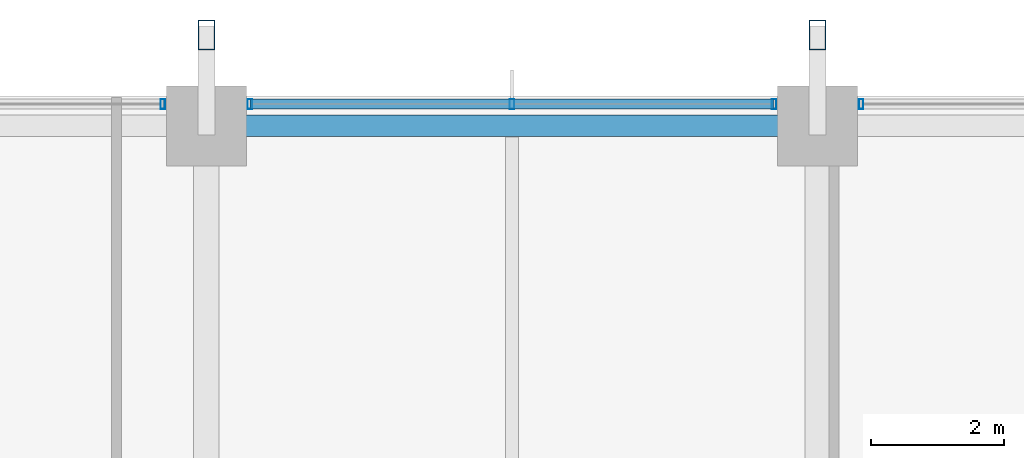
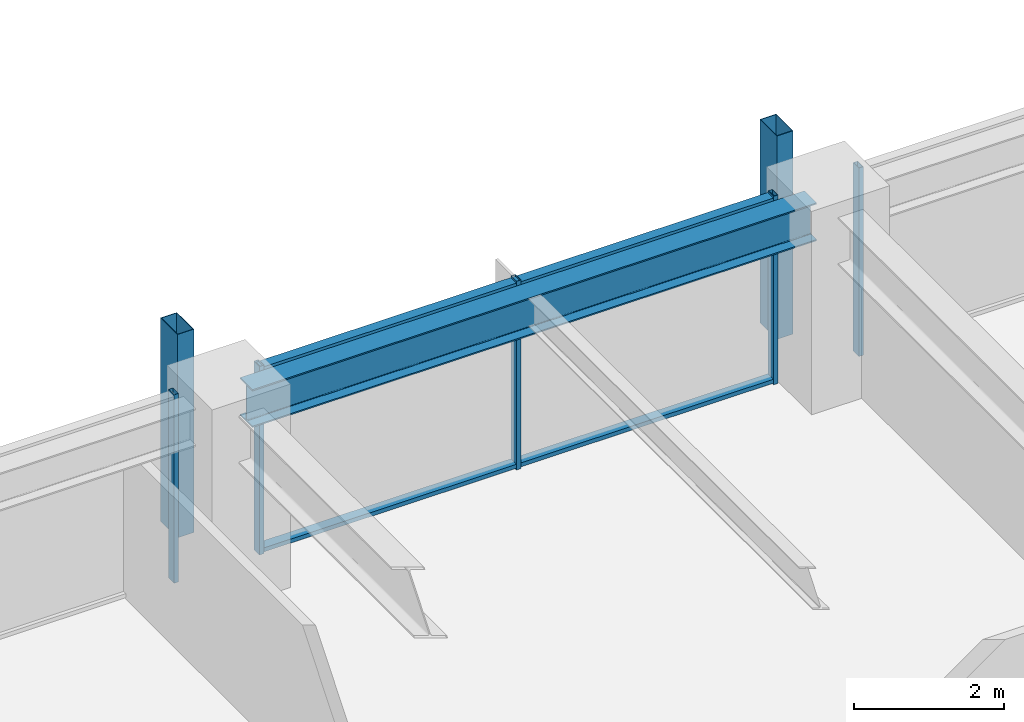
# One storey, part 23 of 38: 9 members, 1 beam, 3 elements without a shape of their own.
"""IFC4 building model written with IfcOpenShell, lengths in metres."""

from ifc_helpers import new_model, si_unit, direction, frame, origin, origin_2d, place, context, subcontext, project, spatial, hollow_rectangle, i_section, extrude, material, material_profile, profile_set, type_object, element, aggregate, save


model = new_model("IFC4")

# Units and contexts
model_context = context("Model", 3, precision=1e-05, world=origin(), true_north=direction((0.0, 1.0)))
body_context = subcontext(model_context, "Body", "Model", "MODEL_VIEW")
ifc_project = project(units=[si_unit("LENGTHUNIT", "METRE"), si_unit("AREAUNIT", "SQUARE_METRE"), si_unit("VOLUMEUNIT", "CUBIC_METRE"), si_unit("PLANEANGLEUNIT", "RADIAN"), si_unit("MASSUNIT", "GRAM", prefix="KILO")], contexts=[model_context])

# Site, building, storey
site_placement = place(None, origin())
site = spatial("IfcSite", under=ifc_project, at=site_placement, CompositionType="ELEMENT")
building_placement = place(site_placement, origin())
building = spatial("IfcBuilding", under=site, at=building_placement, Name="Kolvaren Belvedere", CompositionType="ELEMENT")
storey_placement = place(building_placement, frame((0.0, 0.0, 53.5)))
storey = spatial("IfcBuildingStorey", under=building, at=storey_placement, Name="L15", CompositionType="ELEMENT", Elevation=53.5)

# Beam
ifc_material_1 = material(Name="Structural steel ASTM A992 Grade 50", Category="steel")
ifc_material_profile_1 = material_profile(ifc_material_1, i_section(OverallWidth=0.324951171875, OverallDepth=0.615966796875, WebThickness=0.013916015625, FlangeThickness=0.021484375, FilletRadius=0.02001953125, at=origin_2d()), Name="W24X117")
ifc_profile_set_1 = profile_set([ifc_material_profile_1], Name="Structural steel ASTM A992 Grade 50")
beam_type = type_object("IfcBeamType", Name="BM-SPAN-W24X117", PredefinedType="SPANDREL", material=ifc_profile_set_1)
beam_placement = place(storey_placement, frame((4.330078125, 21.550048828125, 2.751953125), z_axis=(-1.0, 0.0, 0.0), x_axis=(0.0, -1.0, 0.0)))
element("IfcBeam", 1, at=beam_placement, inside=storey, type_object=beam_type, Name="L15 Perimeter Spandrel N3-N2", PredefinedType="SPANDREL", context=body_context, shape_type="SweptSolid", body=[
    extrude(i_section(OverallWidth=0.324951171875, OverallDepth=0.615966796875, WebThickness=0.013916015625, FlangeThickness=0.021484375, FilletRadius=0.02001953125, at=origin_2d()), origin(), (0.0, 0.0, 1.0), 8.66015625),
])

# Curtain wall, member
ifc_material_2 = material(Name="Anodised pale-metal aluminium AA 6063-T6", Category="aluminium")
curtain_wall_type = type_object("IfcCurtainWallType", Name="CW-Z1-LOW", PredefinedType="NOTDEFINED", material=ifc_material_2)
curtain_wall_1_placement = place(storey_placement, origin())
curtain_wall_1 = element("IfcCurtainWall", 2, at=curtain_wall_1_placement, inside=storey, type_object=curtain_wall_type, Name="L15 Unitised Curtain Wall FCW-L15-N-B1", PredefinedType="NOTDEFINED")
ifc_material_3 = material(Name="Anodised pale-metal aluminium AA 6063-T6", Category="aluminium")
ifc_material_profile_2 = material_profile(ifc_material_3, hollow_rectangle(XDim=0.070068359375, YDim=0.14990234375, WallThickness=0.004150390625, at=origin_2d()), Name="ALU-MUL-150X70")
ifc_profile_set_2 = profile_set([ifc_material_profile_2], Name="Anodised pale-metal aluminium AA 6063-T6")
member_type_1 = type_object("IfcMemberType", Name="CW-MUL-150", PredefinedType="MULLION", material=ifc_profile_set_2)
member_1_placement = place(storey_placement, frame((-5.2548828125, 21.8798828125, 0.0), z_axis=(0.0, 0.0, 1.0), x_axis=(1.0, 0.0, 0.0)))
member_1 = element("IfcMember", 3, at=member_1_placement, type_object=member_type_1, Name="FCW-L15-N-B1 Unitised Mullion 3", PredefinedType="MULLION", context=body_context, shape_type="SweptSolid", body=[
    extrude(hollow_rectangle(XDim=0.070068359375, YDim=0.14990234375, WallThickness=0.004150390625, at=origin_2d()), origin(), (0.0, 0.0, 1.0), 3.06005859375),
])
aggregate(curtain_wall_1, [member_1])

# Curtain wall, members
curtain_wall_2_placement = place(storey_placement, origin())
curtain_wall_2 = element("IfcCurtainWall", 4, at=curtain_wall_2_placement, inside=storey, type_object=curtain_wall_type, Name="L15 Unitised Curtain Wall FCW-L15-N-B2", PredefinedType="NOTDEFINED")
member_2_placement = place(storey_placement, frame((-3.945068359375, 21.8798828125, 0.0), z_axis=(0.0, 0.0, 1.0), x_axis=(1.0, 0.0, 0.0)))
member_2 = element("IfcMember", 5, at=member_2_placement, type_object=member_type_1, Name="FCW-L15-N-B2 Unitised Mullion 1", PredefinedType="MULLION", context=body_context, shape_type="SweptSolid", body=[
    extrude(hollow_rectangle(XDim=0.070068359375, YDim=0.14990234375, WallThickness=0.004150390625, at=origin_2d()), origin(), (0.0, 0.0, 1.0), 3.06005859375),
])
member_3_placement = place(storey_placement, frame((0.0, 21.8798828125, 0.0), z_axis=(0.0, 0.0, 1.0), x_axis=(1.0, 0.0, 0.0)))
member_3 = element("IfcMember", 6, at=member_3_placement, type_object=member_type_1, Name="FCW-L15-N-B2 Unitised Mullion 2", PredefinedType="MULLION", context=body_context, shape_type="SweptSolid", body=[
    extrude(hollow_rectangle(XDim=0.070068359375, YDim=0.14990234375, WallThickness=0.004150390625, at=origin_2d()), origin(), (0.0, 0.0, 1.0), 3.06005859375),
])
member_4_placement = place(storey_placement, frame((3.945068359375, 21.8798828125, 0.0), z_axis=(0.0, 0.0, 1.0), x_axis=(1.0, 0.0, 0.0)))
member_4 = element("IfcMember", 7, at=member_4_placement, type_object=member_type_1, Name="FCW-L15-N-B2 Unitised Mullion 3", PredefinedType="MULLION", context=body_context, shape_type="SweptSolid", body=[
    extrude(hollow_rectangle(XDim=0.070068359375, YDim=0.14990234375, WallThickness=0.004150390625, at=origin_2d()), origin(), (0.0, 0.0, 1.0), 3.06005859375),
])

# Curtain wall, member
curtain_wall_3_placement = place(storey_placement, origin())
curtain_wall_3 = element("IfcCurtainWall", 8, at=curtain_wall_3_placement, inside=storey, type_object=curtain_wall_type, Name="L15 Unitised Curtain Wall FCW-L15-N-B3", PredefinedType="NOTDEFINED")
member_5_placement = place(storey_placement, frame((5.2548828125, 21.8798828125, 0.0), z_axis=(0.0, 0.0, 1.0), x_axis=(1.0, 0.0, 0.0)))
member_5 = element("IfcMember", 9, at=member_5_placement, type_object=member_type_1, Name="FCW-L15-N-B3 Unitised Mullion 1", PredefinedType="MULLION", context=body_context, shape_type="SweptSolid", body=[
    extrude(hollow_rectangle(XDim=0.070068359375, YDim=0.14990234375, WallThickness=0.004150390625, at=origin_2d()), origin(), (0.0, 0.0, 1.0), 3.06005859375),
])
aggregate(curtain_wall_3, [member_5])

# Member
ifc_material_4 = material(Name="Anodised pale-metal aluminium AA 6063-T6", Category="aluminium")
ifc_material_profile_3 = material_profile(ifc_material_4, hollow_rectangle(XDim=0.06494140625, YDim=0.14990234375, WallThickness=0.00390625, at=origin_2d()), Name="ALU-TRN-150X65")
ifc_profile_set_3 = profile_set([ifc_material_profile_3], Name="Anodised pale-metal aluminium AA 6063-T6")
member_type_2 = type_object("IfcMemberType", Name="CW-TRN-150", PredefinedType="USERDEFINED", material=ifc_profile_set_3)
member_6_placement = place(storey_placement, frame((-3.945068359375, 21.8798828125, 0.06005859375), z_axis=(1.0, 0.0, 0.0), x_axis=(0.0, 0.0, 1.0)))
member_6 = element("IfcMember", 10, at=member_6_placement, type_object=member_type_2, Name="FCW-L15-N-B2 Sill Transom", ObjectType="TRANSOM", PredefinedType="USERDEFINED", context=body_context, shape_type="SweptSolid", body=[
    extrude(hollow_rectangle(XDim=0.06494140625, YDim=0.14990234375, WallThickness=0.00390625, at=origin_2d()), origin(), (0.0, 0.0, 1.0), 7.89013671875),
])

member_7_placement = place(storey_placement, frame((-3.945068359375, 21.8798828125, 3.0), z_axis=(1.0, 0.0, 0.0), x_axis=(0.0, 0.0, 1.0)))
member_7 = element("IfcMember", 11, at=member_7_placement, type_object=member_type_2, Name="FCW-L15-N-B2 Head Transom", ObjectType="TRANSOM", PredefinedType="USERDEFINED", context=body_context, shape_type="SweptSolid", body=[
    extrude(hollow_rectangle(XDim=0.06494140625, YDim=0.14990234375, WallThickness=0.00390625, at=origin_2d()), origin(), (0.0, 0.0, 1.0), 7.89013671875),
])

aggregate(curtain_wall_2, [member_2, member_3, member_4, member_6, member_7])

# Members
ifc_material_5 = material(Name="Anodised pale-metal aluminium AA 6063-T6", Category="aluminium")
ifc_material_profile_4 = material_profile(ifc_material_5, hollow_rectangle(XDim=0.25, YDim=0.449951171875, WallThickness=0.008544921875, at=origin_2d()), Name="ALU-PF-450X250")
ifc_profile_set_4 = profile_set([ifc_material_profile_4], Name="Anodised pale-metal aluminium AA 6063-T6")
member_type_3 = type_object("IfcMemberType", Name="PF-FRAME-450", PredefinedType="USERDEFINED", material=ifc_profile_set_4)
for number, where, z_axis, x_axis, name in (
    (12, (-4.60009765625, 22.919921875, 0.0), (0.0, 0.0, 1.0), (1.0, 0.0, 0.0), "L15 Outboard Picture-Frame Vertical N1"),
    (13, (4.60009765625, 22.919921875, 0.0), (0.0, 0.0, 1.0), (1.0, 0.0, 0.0), "L15 Outboard Picture-Frame Vertical N2"),
):
    element("IfcMember", number, at=place(storey_placement, frame(where, z_axis=z_axis, x_axis=x_axis)), inside=storey, type_object=member_type_3, Name=name, ObjectType="PICTURE FRAME FIN", PredefinedType="USERDEFINED", context=body_context, shape_type="SweptSolid", body=[
        extrude(hollow_rectangle(XDim=0.25, YDim=0.449951171875, WallThickness=0.008544921875, at=origin_2d()), origin(), (0.0, 0.0, 1.0), 3.300048828125),
    ])

save(model, "model.ifc")
